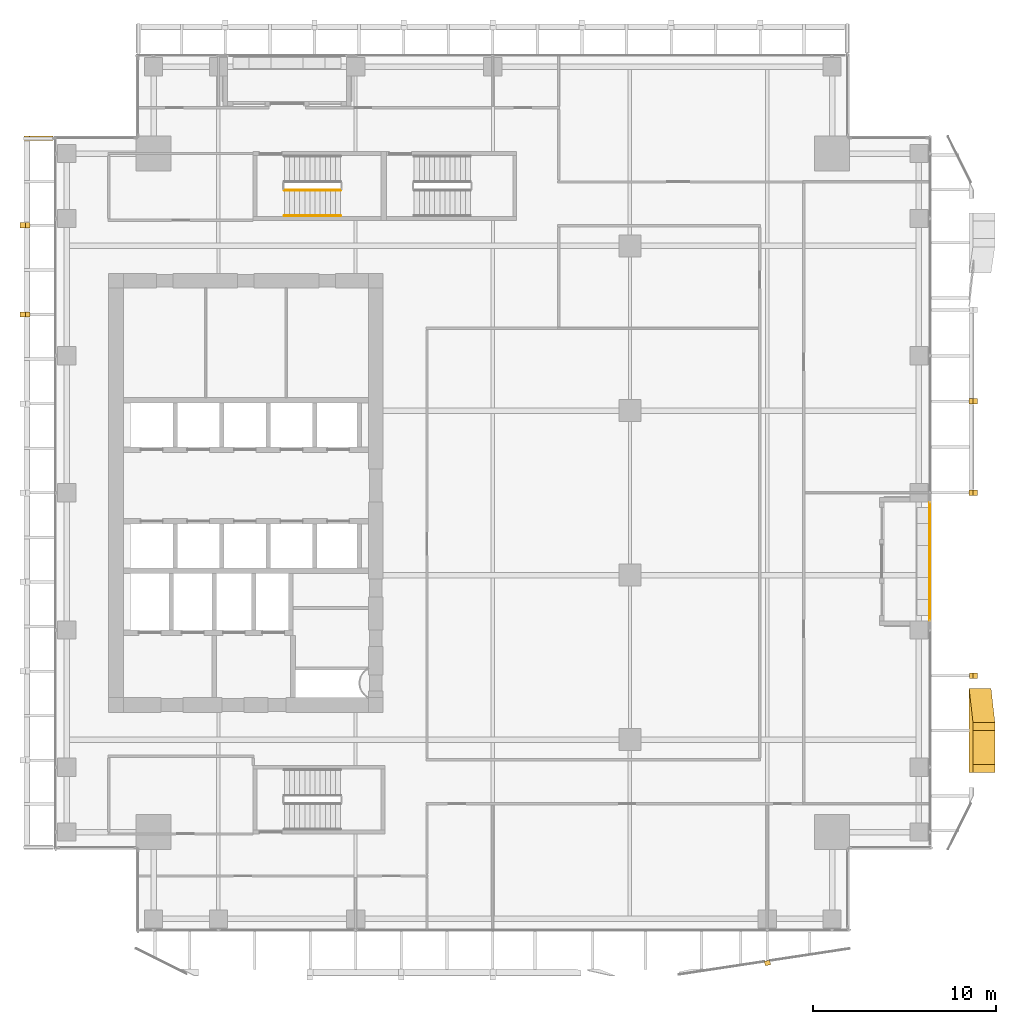
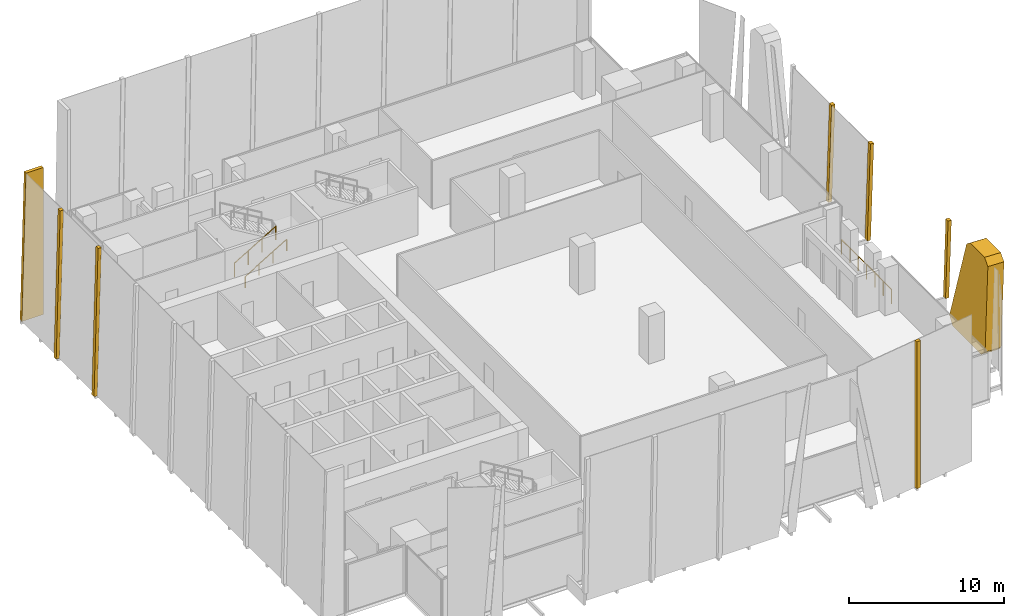
# One storey, part 33 of 35: 8 coverings, 3 railings.
"""IFC4 building model written with IfcOpenShell, lengths in metres."""

from ifc_helpers import new_model, si_unit, direction, frame, origin, origin_2d, place, context, subcontext, project, spatial, polyline, circle, outline, extrude, source, transform, mapped, material, layer, layer_set, type_object, element, save


model = new_model("IFC4")

# Units and contexts
model_context = context("Model", 3, precision=1e-05, world=origin(), true_north=direction((0.0, 1.0)))
body_context = subcontext(model_context, "Body", "Model", "MODEL_VIEW")
ifc_project = project(units=[si_unit("LENGTHUNIT", "METRE"), si_unit("AREAUNIT", "SQUARE_METRE"), si_unit("VOLUMEUNIT", "CUBIC_METRE"), si_unit("PLANEANGLEUNIT", "RADIAN"), si_unit("MASSUNIT", "GRAM", prefix="KILO")], contexts=[model_context])

# Site, building, storey
site_placement = place(None, origin())
site = spatial("IfcSite", under=ifc_project, at=site_placement, CompositionType="ELEMENT")
building_placement = place(site_placement, origin())
building = spatial("IfcBuilding", under=site, at=building_placement, Name="Khomas Fold Tower", CompositionType="ELEMENT")
storey_placement = place(building_placement, frame((0.0, 0.0, 200.699951171875)))
storey = spatial("IfcBuildingStorey", under=building, at=storey_placement, Name="L44", CompositionType="ELEMENT", Elevation=200.699951171875)

# Coverings
ifc_material_1 = material(Name="Natural stone cladding", Category="masonry")
ifc_layer_1 = layer(ifc_material_1, 0.25)
ifc_layer_set_1 = layer_set([ifc_layer_1], Name="Natural stone cladding")
covering_type_1 = type_object("IfcCoveringType", Name="SK-Karibib marble stone mullion", PredefinedType="CLADDING", material=ifc_layer_set_1)
covering_1_placement = place(storey_placement, frame((41.85009765625, 1.39306640625, 0.0), z_axis=(-0.150544626295, 0.988603214386, 0.0), x_axis=(0.0, 0.0, 1.0)))
element("IfcCovering", 1, at=covering_1_placement, inside=storey, type_object=covering_type_1, Name="OUTER SKIN mullion L44 SM106-12", PredefinedType="CLADDING", context=body_context, shape_type="SweptSolid", body=[
    extrude(outline(polyline([(0.0, 0.0), (11.550048828125, 0.0), (11.550048828125, 0.30326088681220215), (0.0, 0.30326088681220215), (0.0, 0.0)])), origin(), (0.0, 0.0, -1.0), 0.25),
])
covering_2_placement = place(storey_placement, frame((53.26318359375, 16.85009765625, 7.550048828125), z_axis=(-0.999511333504, -7.3277454e-05, 0.031258420093), x_axis=(-7.3241645e-05, 0.999999997315, 2.290537e-06)))
element("IfcCovering", 2, at=covering_2_placement, inside=storey, type_object=covering_type_1, Name="OUTER SKIN mullion L44 EM101-4", PredefinedType="CLADDING", context=body_context, shape_type="SweptSolid", body=[
    extrude(outline(polyline([(0.0, 0.0), (0.2998046866950866, 1.2697222402688975e-22), (0.2998046868091378, 6.053006762135864), (0.021240234432025624, 6.053006762135864), (-3.1056023813806215e-09, 5.976307752427671), (0.0, 0.0)])), origin(), (0.0, 0.0, -1.0), 0.25),
])
for number, where, z_axis, x_axis, name in (
    (3, (53.26318359375, 27.14990234375, 7.550048828125), (-0.999510466622, 0.0, 0.031286212827), (-0.031286212827, 0.0, -0.999510466622), "OUTER SKIN mullion L44 EM103-5"),
    (4, (53.26318359375, 32.14990234375, 7.550048828125), (-0.999510466622, 0.0, 0.031286212827), (-0.031286212827, 0.0, -0.999510466622), "OUTER SKIN mullion L44 EM104-7"),
):
    element("IfcCovering", number, at=place(storey_placement, frame(where, z_axis=z_axis, x_axis=x_axis)), inside=storey, type_object=covering_type_1, Name=name, PredefinedType="CLADDING", context=body_context, shape_type="SweptSolid", body=[
        extrude(outline(polyline([(0.0, 0.0), (7.553746639233918, 0.0), (7.553746639233918, 0.2998046875), (0.0, 0.2998046875), (0.0, 0.0)])), origin(), (0.0, 0.0, -1.0), 0.25),
    ])
for number, where, z_axis, x_axis, name in (
    (5, (1.147705078125, 36.60009765625, 0.006591796875), (-0.999657230839, 0.0, 0.026180543005), (0.0, 1.0, 0.0), "OUTER SKIN mullion L44 W12"),
    (6, (1.147705078125, 41.47509765625, 0.006591796875), (-0.999657230839, 0.0, 0.026180543005), (0.0, 1.0, 0.0), "OUTER SKIN mullion L44 W14"),
):
    element("IfcCovering", number, at=place(storey_placement, frame(where, z_axis=z_axis, x_axis=x_axis)), inside=storey, type_object=covering_type_1, Name=name, PredefinedType="CLADDING", context=body_context, shape_type="SweptSolid", body=[
        extrude(outline(polyline([(0.0, 0.0), (0.2998046875, 0.0), (0.2998046875, -11.554009186164079), (0.0, -11.554009186164079), (0.0, 0.0)])), origin(), (0.0, 0.0, -1.0), 0.25),
    ])
covering_3_placement = place(storey_placement, frame((2.949951171875, 46.5, 0.0), z_axis=(0.0, 1.0, 0.0), x_axis=(-1.0, 0.0, 0.0)))
element("IfcCovering", 7, at=covering_3_placement, inside=storey, type_object=covering_type_1, Name="OUTER SKIN return L44 W2", PredefinedType="CLADDING", context=body_context, shape_type="SweptSolid", body=[
    extrude(outline(polyline([(0.0, 0.0), (1.59228515625, 0.0), (1.289794921875, 11.550048828125), (0.0, 11.550048828125), (0.0, 0.0)])), origin(), (0.0, 0.0, -1.0), 0.25),
])
ifc_material_2 = material(Name="Natural stone cladding", Category="masonry")
ifc_layer_2 = layer(ifc_material_2, 1.199951171875)
ifc_layer_set_2 = layer_set([ifc_layer_2], Name="Natural stone cladding")
covering_type_2 = type_object("IfcCoveringType", Name="SK-Karibib marble stone panel", PredefinedType="CLADDING", material=ifc_layer_set_2)
covering_4_placement = place(storey_placement, frame((53.2529296875, 14.449462890625, 7.220703125), z_axis=(-0.99951020543, 2.660165e-06, 0.031294555976), x_axis=(-0.030149894777, 0.267903486464, -0.962973886347)))
element("IfcCovering", 8, at=covering_4_placement, inside=storey, type_object=covering_type_2, Name="OUTER SKIN leaf L44 ES03-1", PredefinedType="CLADDING", context=body_context, shape_type="SweptSolid", body=[
    extrude(outline(polyline([(0.0, 0.0), (6.905836430900328, 0.0), (7.339650999417211, 0.5706747716007439), (6.344104376499841, 4.150901292545934), (5.78984273294833, 4.463801674886826), (-0.6203534463577809, 2.681330895014839), (-0.933520753727328, 2.1272262322538884), (-0.43355633709370506, 0.3292332274509823), (0.0, 0.0)])), origin(), (0.0, 0.0, -1.0), 1.199951171875),
])

# Railings
ifc_material_3 = material(Name="Powder-coated steel", Category="steel")
railing_type_1 = type_object("IfcRailingType", Name="Balcony guard", PredefinedType="GUARDRAIL", material=ifc_material_3)
shared_shape_1 = source(origin(), body_context, "Body", "SweptSolid", [
    extrude(circle(Radius=0.02490234375, at=origin_2d()), frame((0.0, 0.0, 1.125), z_axis=(0.0, 1.0, 0.0), x_axis=(-1.0, 0.0, 0.0)), (0.0, 0.0, 1.0), 6.43994140625),
    extrude(circle(Radius=0.02001953125, at=origin_2d()), origin(), (0.0, 0.0, 1.0), 1.099853515625),
    extrude(circle(Radius=0.02001953125, at=origin_2d()), frame((0.0, 1.0732421875, 0.0)), (0.0, 0.0, 1.0), 1.099853515625),
    extrude(circle(Radius=0.02001953125, at=origin_2d()), frame((0.0, 2.146728515625, 0.0)), (0.0, 0.0, 1.0), 1.099853515625),
    extrude(circle(Radius=0.02001953125, at=origin_2d()), frame((0.0, 3.219970703125, 0.0)), (0.0, 0.0, 1.0), 1.099853515625),
    extrude(circle(Radius=0.02001953125, at=origin_2d()), frame((0.0, 4.293212890625, 0.0)), (0.0, 0.0, 1.0), 1.099853515625),
    extrude(circle(Radius=0.02001953125, at=origin_2d()), frame((0.0, 5.36669921875, 0.0)), (0.0, 0.0, 1.0), 1.099853515625),
    extrude(circle(Radius=0.02001953125, at=origin_2d()), frame((0.0, 6.43994140625, 0.0)), (0.0, 0.0, 1.0), 1.099853515625),
])
railing_1_placement = place(storey_placement, frame((50.89990234375, 20.030029296875, -0.044921875)))
element("IfcRailing", 9, at=railing_1_placement, inside=storey, type_object=railing_type_1, Name="Balcony guard BAL-L44-E2", PredefinedType="GUARDRAIL", context=body_context, shape_type="MappedRepresentation", body=[
    mapped(shared_shape_1, transform((0.0, 0.0, 0.0))),
])
ifc_material_4 = material(Name="Steel balustrade", Category="steel")
railing_type_2 = type_object("IfcRailingType", Name="Stair guard", PredefinedType="GUARDRAIL", material=ifc_material_4)
shared_shape_2 = source(origin(), body_context, "Body", "SweptSolid", [
    extrude(circle(Radius=0.02392578125, at=origin_2d()), frame((0.0, 0.0, 1.076171875), z_axis=(0.859290745958, 0.0, 0.51148745235), x_axis=(0.0, 1.0, 0.0)), (0.0, 0.0, 1.0), 3.584228515625),
    extrude(circle(Radius=0.02099609375, at=origin_2d()), origin(), (0.0, 0.0, 1.0), 1.052001953125),
    extrude(circle(Radius=0.02099609375, at=origin_2d()), frame((1.026611328125, 0.0, 0.611083984375)), (0.0, 0.0, 1.0), 1.052001953125),
    extrude(circle(Radius=0.02099609375, at=origin_2d()), frame((2.05322265625, 0.0, 1.22216796875)), (0.0, 0.0, 1.0), 1.052001953125),
    extrude(circle(Radius=0.02099609375, at=origin_2d()), frame((3.079833984375, 0.0, 1.833251953125)), (0.0, 0.0, 1.0), 1.052001953125),
])
railing_2_placement = place(storey_placement, frame((15.60009765625, 43.550048828125, 0.166748046875)))
element("IfcRailing", 10, at=railing_2_placement, inside=storey, type_object=railing_type_2, Name="L44 ST1 stair guard 1", PredefinedType="GUARDRAIL", context=body_context, shape_type="MappedRepresentation", body=[
    mapped(shared_shape_2, transform((0.0, 0.0, 0.0))),
])
ifc_material_5 = material(Name="Steel handrail", Category="steel")
railing_type_3 = type_object("IfcRailingType", Name="Stair handrail", PredefinedType="HANDRAIL", material=ifc_material_5)
shared_shape_3 = source(origin(), body_context, "Body", "SweptSolid", [
    extrude(circle(Radius=0.02392578125, at=origin_2d()), frame((0.0, 0.0, 0.8759765625), z_axis=(0.859290745958, 0.0, 0.51148745235), x_axis=(0.0, 1.0, 0.0)), (0.0, 0.0, 1.0), 3.584228515625),
    extrude(circle(Radius=0.02099609375, at=origin_2d()), origin(), (0.0, 0.0, 1.0), 0.851806640625),
    extrude(circle(Radius=0.02099609375, at=origin_2d()), frame((1.026611328125, 0.0, 0.611083984375)), (0.0, 0.0, 1.0), 0.851806640625),
    extrude(circle(Radius=0.02099609375, at=origin_2d()), frame((2.05322265625, 0.0, 1.22216796875)), (0.0, 0.0, 1.0), 0.851806640625),
    extrude(circle(Radius=0.02099609375, at=origin_2d()), frame((3.079833984375, 0.0, 1.833251953125)), (0.0, 0.0, 1.0), 0.851806640625),
])
railing_3_placement = place(storey_placement, frame((15.60009765625, 42.14990234375, 0.166748046875)))
element("IfcRailing", 11, at=railing_3_placement, inside=storey, type_object=railing_type_3, Name="L44 ST1 stair handrail 1", PredefinedType="HANDRAIL", context=body_context, shape_type="MappedRepresentation", body=[
    mapped(shared_shape_3, transform((0.0, 0.0, 0.0))),
])

save(model, "model.ifc")
